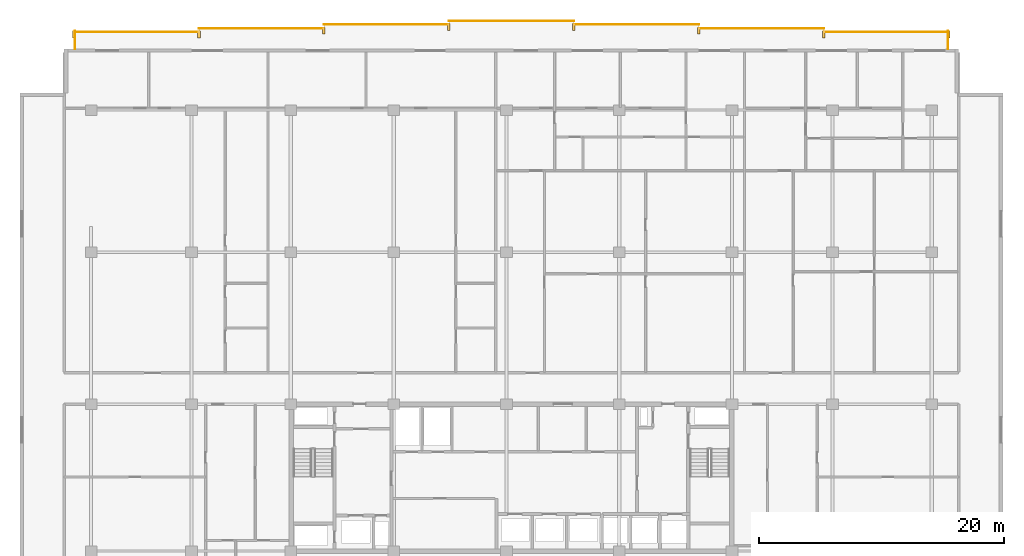
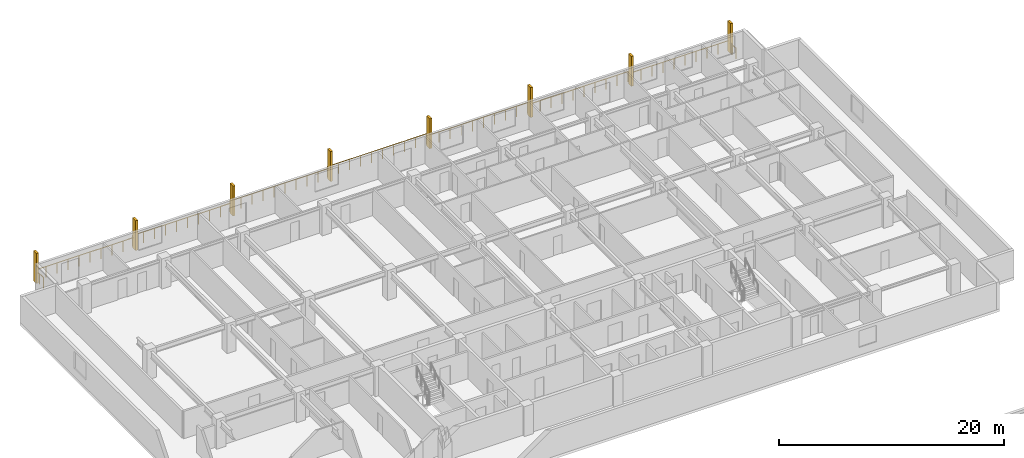
# One storey, part 22 of 22: 9 railings, 8 shading devices.
"""IFC4 building model written with IfcOpenShell, lengths in metres."""

from ifc_helpers import new_model, si_unit, direction, frame, origin, origin_2d, place, context, subcontext, project, spatial, rectangle, circle, extrude, material, type_object, element, save


model = new_model("IFC4")

# Units and contexts
model_context = context("Model", 3, precision=1e-05, world=origin(), true_north=direction((0.0, 1.0)))
body_context = subcontext(model_context, "Body", "Model", "MODEL_VIEW")
ifc_project = project(units=[si_unit("LENGTHUNIT", "METRE"), si_unit("AREAUNIT", "SQUARE_METRE"), si_unit("VOLUMEUNIT", "CUBIC_METRE"), si_unit("PLANEANGLEUNIT", "RADIAN"), si_unit("MASSUNIT", "GRAM", prefix="KILO")], contexts=[model_context])

# Site, building, storey
site_placement = place(None, origin())
site = spatial("IfcSite", under=ifc_project, at=site_placement, CompositionType="ELEMENT")
building_placement = place(site_placement, origin())
building = spatial("IfcBuilding", under=site, at=building_placement, Name="Korimba Cascade Residences", CompositionType="ELEMENT")
storey_placement = place(building_placement, frame((0.0, 0.0, 126.300048828125)))
storey = spatial("IfcBuildingStorey", under=building, at=storey_placement, Name="L36", CompositionType="ELEMENT", Elevation=126.300048828125)

# Railings
ifc_material_1 = material(Name="Laminated Glass and Bronze Balustrade", Category="glass")
railing_type = type_object("IfcRailingType", Name="RLG-LOG-1150", PredefinedType="BALUSTRADE", material=ifc_material_1)
railing_1_placement = place(storey_placement, frame((129.719970703125, 96.199951171875, 0.0)))
element("IfcRailing", 1, at=railing_1_placement, inside=storey, type_object=railing_type, Name="L36 Perimeter Guardrail RLG-L36-T1-LOG-01", PredefinedType="BALUSTRADE", context=body_context, shape_type="SweptSolid", body=[
    extrude(circle(Radius=0.02392578125, at=origin_2d()), frame((0.0, 0.0, 1.1259765625), z_axis=(0.0, 1.0, 0.0), x_axis=(-1.0, 0.0, 0.0)), (0.0, 0.0, 1.0), 1.449951171875),
    extrude(circle(Radius=0.02099609375, at=origin_2d()), origin(), (0.0, 0.0, 1.0), 1.101806640625),
    extrude(circle(Radius=0.02099609375, at=origin_2d()), frame((0.0, 0.72509765625, 0.0)), (0.0, 0.0, 1.0), 1.101806640625),
    extrude(circle(Radius=0.02099609375, at=origin_2d()), frame((0.0, 1.449951171875, 0.0)), (0.0, 0.0, 1.0), 1.101806640625),
])
railing_2_placement = place(storey_placement, frame((129.800048828125, 97.570068359375, 0.0)))
element("IfcRailing", 2, at=railing_2_placement, inside=storey, type_object=railing_type, Name="L36 Perimeter Guardrail RLG-L36-T1-LOG-02", PredefinedType="BALUSTRADE", context=body_context, shape_type="SweptSolid", body=[
    extrude(circle(Radius=0.02392578125, at=origin_2d()), frame((0.0, 0.0, 1.1259765625), z_axis=(-1.0, 0.0, 0.0), x_axis=(0.0, -1.0, 0.0)), (0.0, 0.0, 1.0), 10.199951171875),
    extrude(circle(Radius=0.02099609375, at=origin_2d()), origin(), (0.0, 0.0, 1.0), 1.101806640625),
    extrude(circle(Radius=0.02099609375, at=origin_2d()), frame((-1.13330078125, 0.0, 0.0)), (0.0, 0.0, 1.0), 1.101806640625),
    extrude(circle(Radius=0.02099609375, at=origin_2d()), frame((-2.2666015625, 0.0, 0.0)), (0.0, 0.0, 1.0), 1.101806640625),
    extrude(circle(Radius=0.02099609375, at=origin_2d()), frame((-3.39990234375, 0.0, 0.0)), (0.0, 0.0, 1.0), 1.101806640625),
    extrude(circle(Radius=0.02099609375, at=origin_2d()), frame((-4.533203125, 0.0, 0.0)), (0.0, 0.0, 1.0), 1.101806640625),
    extrude(circle(Radius=0.02099609375, at=origin_2d()), frame((-5.666748046875, 0.0, 0.0)), (0.0, 0.0, 1.0), 1.101806640625),
    extrude(circle(Radius=0.02099609375, at=origin_2d()), frame((-6.800048828125, 0.0, 0.0)), (0.0, 0.0, 1.0), 1.101806640625),
    extrude(circle(Radius=0.02099609375, at=origin_2d()), frame((-7.933349609375, 0.0, 0.0)), (0.0, 0.0, 1.0), 1.101806640625),
    extrude(circle(Radius=0.02099609375, at=origin_2d()), frame((-9.066650390625, 0.0, 0.0)), (0.0, 0.0, 1.0), 1.101806640625),
    extrude(circle(Radius=0.02099609375, at=origin_2d()), frame((-10.199951171875, 0.0, 0.0)), (0.0, 0.0, 1.0), 1.101806640625),
])
railing_3_placement = place(storey_placement, frame((119.60009765625, 97.8701171875, 0.0)))
element("IfcRailing", 3, at=railing_3_placement, inside=storey, type_object=railing_type, Name="L36 Perimeter Guardrail RLG-L36-T1-LOG-03", PredefinedType="BALUSTRADE", context=body_context, shape_type="SweptSolid", body=[
    extrude(circle(Radius=0.02392578125, at=origin_2d()), frame((0.0, 0.0, 1.1259765625), z_axis=(-1.0, 0.0, 0.0), x_axis=(0.0, -1.0, 0.0)), (0.0, 0.0, 1.0), 10.2001953125),
    extrude(circle(Radius=0.02099609375, at=origin_2d()), origin(), (0.0, 0.0, 1.0), 1.101806640625),
    extrude(circle(Radius=0.02099609375, at=origin_2d()), frame((-1.13330078125, 0.0, 0.0)), (0.0, 0.0, 1.0), 1.101806640625),
    extrude(circle(Radius=0.02099609375, at=origin_2d()), frame((-2.2666015625, 0.0, 0.0)), (0.0, 0.0, 1.0), 1.101806640625),
    extrude(circle(Radius=0.02099609375, at=origin_2d()), frame((-3.400146484375, 0.0, 0.0)), (0.0, 0.0, 1.0), 1.101806640625),
    extrude(circle(Radius=0.02099609375, at=origin_2d()), frame((-4.533447265625, 0.0, 0.0)), (0.0, 0.0, 1.0), 1.101806640625),
    extrude(circle(Radius=0.02099609375, at=origin_2d()), frame((-5.666748046875, 0.0, 0.0)), (0.0, 0.0, 1.0), 1.101806640625),
    extrude(circle(Radius=0.02099609375, at=origin_2d()), frame((-6.800048828125, 0.0, 0.0)), (0.0, 0.0, 1.0), 1.101806640625),
    extrude(circle(Radius=0.02099609375, at=origin_2d()), frame((-7.93359375, 0.0, 0.0)), (0.0, 0.0, 1.0), 1.101806640625),
    extrude(circle(Radius=0.02099609375, at=origin_2d()), frame((-9.06689453125, 0.0, 0.0)), (0.0, 0.0, 1.0), 1.101806640625),
    extrude(circle(Radius=0.02099609375, at=origin_2d()), frame((-10.2001953125, 0.0, 0.0)), (0.0, 0.0, 1.0), 1.101806640625),
])
for number, where, name in (
    (4, (109.39990234375, 98.169921875, 0.0), "L36 Perimeter Guardrail RLG-L36-T1-LOG-04"),
    (5, (99.199951171875, 98.469970703125, 0.0), "L36 Perimeter Guardrail RLG-L36-T1-LOG-05"),
    (6, (89.0, 98.169921875, 0.0), "L36 Perimeter Guardrail RLG-L36-T1-LOG-06"),
    (7, (78.800048828125, 97.8701171875, 0.0), "L36 Perimeter Guardrail RLG-L36-T1-LOG-07"),
):
    element("IfcRailing", number, at=place(storey_placement, frame(where)), inside=storey, type_object=railing_type, Name=name, PredefinedType="BALUSTRADE", context=body_context, shape_type="SweptSolid", body=[
        extrude(circle(Radius=0.02392578125, at=origin_2d()), frame((0.0, 0.0, 1.1259765625), z_axis=(-1.0, 0.0, 0.0), x_axis=(0.0, -1.0, 0.0)), (0.0, 0.0, 1.0), 10.199951171875),
        extrude(circle(Radius=0.02099609375, at=origin_2d()), origin(), (0.0, 0.0, 1.0), 1.101806640625),
        extrude(circle(Radius=0.02099609375, at=origin_2d()), frame((-1.13330078125, 0.0, 0.0)), (0.0, 0.0, 1.0), 1.101806640625),
        extrude(circle(Radius=0.02099609375, at=origin_2d()), frame((-2.2666015625, 0.0, 0.0)), (0.0, 0.0, 1.0), 1.101806640625),
        extrude(circle(Radius=0.02099609375, at=origin_2d()), frame((-3.39990234375, 0.0, 0.0)), (0.0, 0.0, 1.0), 1.101806640625),
        extrude(circle(Radius=0.02099609375, at=origin_2d()), frame((-4.533203125, 0.0, 0.0)), (0.0, 0.0, 1.0), 1.101806640625),
        extrude(circle(Radius=0.02099609375, at=origin_2d()), frame((-5.666748046875, 0.0, 0.0)), (0.0, 0.0, 1.0), 1.101806640625),
        extrude(circle(Radius=0.02099609375, at=origin_2d()), frame((-6.800048828125, 0.0, 0.0)), (0.0, 0.0, 1.0), 1.101806640625),
        extrude(circle(Radius=0.02099609375, at=origin_2d()), frame((-7.933349609375, 0.0, 0.0)), (0.0, 0.0, 1.0), 1.101806640625),
        extrude(circle(Radius=0.02099609375, at=origin_2d()), frame((-9.066650390625, 0.0, 0.0)), (0.0, 0.0, 1.0), 1.101806640625),
        extrude(circle(Radius=0.02099609375, at=origin_2d()), frame((-10.199951171875, 0.0, 0.0)), (0.0, 0.0, 1.0), 1.101806640625),
    ])
railing_4_placement = place(storey_placement, frame((68.60009765625, 97.570068359375, 0.0)))
element("IfcRailing", 8, at=railing_4_placement, inside=storey, type_object=railing_type, Name="L36 Perimeter Guardrail RLG-L36-T1-LOG-08", PredefinedType="BALUSTRADE", context=body_context, shape_type="SweptSolid", body=[
    extrude(circle(Radius=0.02392578125, at=origin_2d()), frame((0.0, 0.0, 1.1259765625), z_axis=(-1.0, 0.0, 0.0), x_axis=(0.0, -1.0, 0.0)), (0.0, 0.0, 1.0), 10.2001953125),
    extrude(circle(Radius=0.02099609375, at=origin_2d()), origin(), (0.0, 0.0, 1.0), 1.101806640625),
    extrude(circle(Radius=0.02099609375, at=origin_2d()), frame((-1.13330078125, 0.0, 0.0)), (0.0, 0.0, 1.0), 1.101806640625),
    extrude(circle(Radius=0.02099609375, at=origin_2d()), frame((-2.2666015625, 0.0, 0.0)), (0.0, 0.0, 1.0), 1.101806640625),
    extrude(circle(Radius=0.02099609375, at=origin_2d()), frame((-3.400146484375, 0.0, 0.0)), (0.0, 0.0, 1.0), 1.101806640625),
    extrude(circle(Radius=0.02099609375, at=origin_2d()), frame((-4.533447265625, 0.0, 0.0)), (0.0, 0.0, 1.0), 1.101806640625),
    extrude(circle(Radius=0.02099609375, at=origin_2d()), frame((-5.666748046875, 0.0, 0.0)), (0.0, 0.0, 1.0), 1.101806640625),
    extrude(circle(Radius=0.02099609375, at=origin_2d()), frame((-6.800048828125, 0.0, 0.0)), (0.0, 0.0, 1.0), 1.101806640625),
    extrude(circle(Radius=0.02099609375, at=origin_2d()), frame((-7.93359375, 0.0, 0.0)), (0.0, 0.0, 1.0), 1.101806640625),
    extrude(circle(Radius=0.02099609375, at=origin_2d()), frame((-9.06689453125, 0.0, 0.0)), (0.0, 0.0, 1.0), 1.101806640625),
    extrude(circle(Radius=0.02099609375, at=origin_2d()), frame((-10.2001953125, 0.0, 0.0)), (0.0, 0.0, 1.0), 1.101806640625),
])
railing_5_placement = place(storey_placement, frame((58.47998046875, 97.64990234375, 0.0)))
element("IfcRailing", 9, at=railing_5_placement, inside=storey, type_object=railing_type, Name="L36 Perimeter Guardrail RLG-L36-T1-LOG-09", PredefinedType="BALUSTRADE", context=body_context, shape_type="SweptSolid", body=[
    extrude(circle(Radius=0.02392578125, at=origin_2d()), frame((0.0, 0.0, 1.1259765625), z_axis=(0.0, -1.0, 0.0), x_axis=(1.0, 0.0, 0.0)), (0.0, 0.0, 1.0), 1.449951171875),
    extrude(circle(Radius=0.02099609375, at=origin_2d()), origin(), (0.0, 0.0, 1.0), 1.101806640625),
    extrude(circle(Radius=0.02099609375, at=origin_2d()), frame((0.0, -0.72509765625, 0.0)), (0.0, 0.0, 1.0), 1.101806640625),
    extrude(circle(Radius=0.02099609375, at=origin_2d()), frame((0.0, -1.449951171875, 0.0)), (0.0, 0.0, 1.0), 1.101806640625),
])

# Shading devices
ifc_material_2 = material(Name="Honed Sandstone Precast Fin", Category="masonry")
shading_device_type = type_object("IfcShadingDeviceType", Name="SHD-FIN-550", PredefinedType="USERDEFINED", material=ifc_material_2)
for number, where, z_axis, x_axis, name in (
    (10, (58.39990234375, 97.375, 0.0), (0.0, 0.0, 1.0), (1.0, 0.0, 0.0), "L36 T1 Warm-Stone Loggia Fin 1"),
    (11, (68.60009765625, 97.375, 0.0), (0.0, 0.0, 1.0), (1.0, 0.0, 0.0), "L36 T1 Warm-Stone Loggia Fin 2"),
    (12, (78.800048828125, 97.675048828125, 0.0), (0.0, 0.0, 1.0), (1.0, 0.0, 0.0), "L36 T1 Warm-Stone Loggia Fin 3"),
    (13, (89.0, 97.97509765625, 0.0), (0.0, 0.0, 1.0), (1.0, 0.0, 0.0), "L36 T1 Warm-Stone Loggia Fin 4"),
    (14, (99.199951171875, 97.97509765625, 0.0), (0.0, 0.0, 1.0), (1.0, 0.0, 0.0), "L36 T1 Warm-Stone Loggia Fin 5"),
    (15, (109.39990234375, 97.675048828125, 0.0), (0.0, 0.0, 1.0), (1.0, 0.0, 0.0), "L36 T1 Warm-Stone Loggia Fin 6"),
    (16, (119.60009765625, 97.375, 0.0), (0.0, 0.0, 1.0), (1.0, 0.0, 0.0), "L36 T1 Warm-Stone Loggia Fin 7"),
    (17, (129.800048828125, 97.375, 0.0), (0.0, 0.0, 1.0), (1.0, 0.0, 0.0), "L36 T1 Warm-Stone Loggia Fin 8"),
):
    element("IfcShadingDevice", number, at=place(storey_placement, frame(where, z_axis=z_axis, x_axis=x_axis)), inside=storey, type_object=shading_device_type, Name=name, ObjectType="FIN", PredefinedType="USERDEFINED", context=body_context, shape_type="SweptSolid", body=[
        extrude(rectangle(XDim=0.219970703125, YDim=0.550048828125, at=origin_2d()), origin(), (0.0, 0.0, 1.0), 3.25),
    ])

save(model, "model.ifc")
